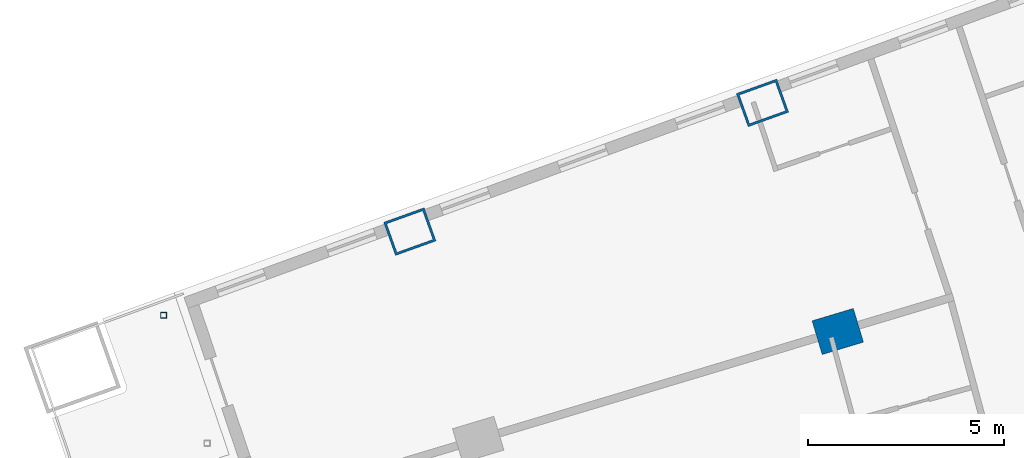
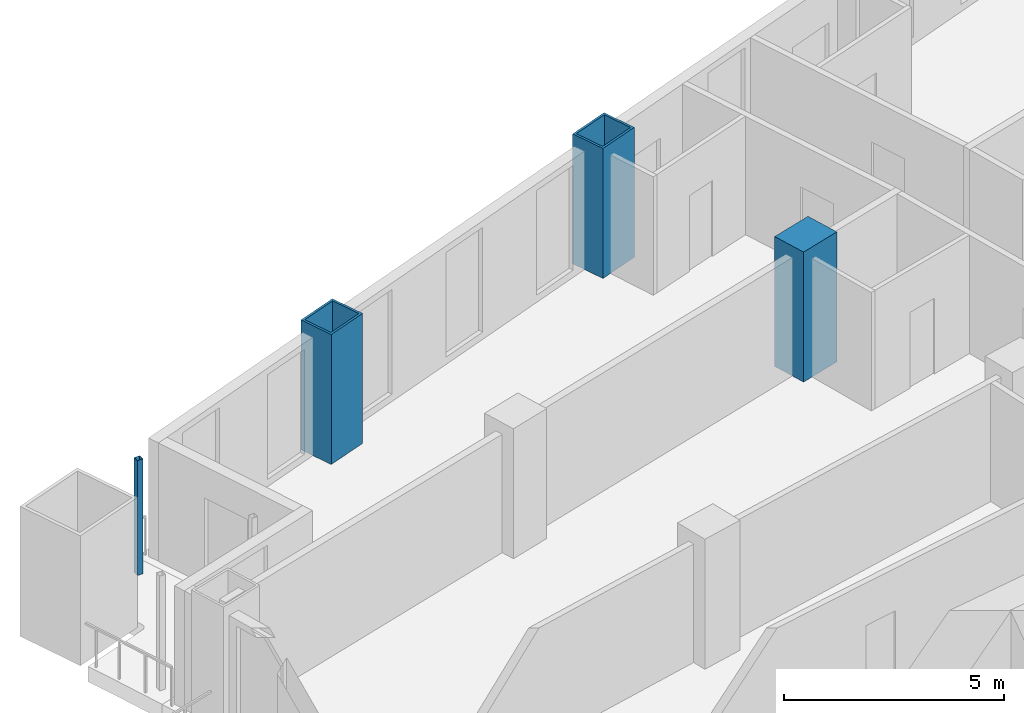
# One storey, part 9 of 25: 4 columns.
"""IFC4 building model written with IfcOpenShell, lengths in metres."""

import ifcopenshell
import ifcopenshell.guid

model = None  # the IFC model being written
_history = None  # IfcOwnerHistory: only IFC2X3 demands one
_inside = {}  # id of a spatial element -> (the spatial element, [elements in it])
_under = {}  # id of a project, library or spatial element -> (it, [spatial elements below it])
_declared = {}  # id of a project -> (the project, [libraries it declares])
_typed = {}  # id of a type object -> (the type object, [elements of that type])
_made_of = {}  # id of a material, layer set ... -> (it, [elements and type objects made of it])


def new_model(schema):
    """Start an empty IFC model of exactly this schema.

    Asked for "IFC4X3", IfcOpenShell would pick the latest addendum, in which some entities
    have other attributes; the version numbers below select the first issue.
    IFC2X3 requires an IfcOwnerHistory on every rooted entity: one is made here for all.
    """
    global model, _history
    if schema == "IFC4X3":
        model = ifcopenshell.file(schema_version=(4, 3, 0, 0))
    else:
        model = ifcopenshell.file(schema=schema)
    _inside.clear()
    _under.clear()
    _declared.clear()
    _typed.clear()
    _made_of.clear()
    _history = None
    if model.schema == "IFC2X3":
        org = make("IfcOrganization", Name="unknown")
        user = make(
            "IfcPersonAndOrganization",
            ThePerson=make("IfcPerson", FamilyName="unknown"),
            TheOrganization=org,
        )
        app = make(
            "IfcApplication",
            ApplicationDeveloper=org,
            Version="unknown",
            ApplicationFullName="unknown",
            ApplicationIdentifier="unknown",
        )
        _history = make(
            "IfcOwnerHistory",
            OwningUser=user,
            OwningApplication=app,
            ChangeAction="ADDED",
            CreationDate=0,
        )
    return model


def make(cls, **values):
    """One entity of the class cls with the attributes given. An attribute that is None is left unset."""
    return model.create_entity(
        cls, **{name: value for name, value in values.items() if value is not None}
    )


def rooted(cls, **values):
    """An entity with a GlobalId (a new one), such as an element, a storey or a relation."""
    return make(cls, GlobalId=ifcopenshell.guid.new(), OwnerHistory=_history, **values)


def si_unit(unit_type, name, prefix=None):
    """IfcSIUnit, for example si_unit("LENGTHUNIT", "METRE", prefix="MILLI")."""
    return make("IfcSIUnit", UnitType=unit_type, Prefix=prefix, Name=name)


def assignment(units):
    """IfcUnitAssignment: the units of a project."""
    return None if units is None else make("IfcUnitAssignment", Units=units)


def point(xyz):
    """IfcCartesianPoint."""
    return None if xyz is None else make("IfcCartesianPoint", Coordinates=xyz)


def direction(xyz):
    """IfcDirection."""
    return None if xyz is None else make("IfcDirection", DirectionRatios=xyz)


def frame(location, z_axis=None, x_axis=None):
    """IfcAxis2Placement3D, a coordinate frame: its origin and axes. An axis left out is left unset."""
    return make(
        "IfcAxis2Placement3D",
        Location=point(location),
        Axis=direction(z_axis),
        RefDirection=direction(x_axis),
    )


def frame_2d(location, x_axis=None):
    """IfcAxis2Placement2D, a coordinate frame in the plane: its origin and x axis."""
    return make(
        "IfcAxis2Placement2D", Location=point(location), RefDirection=direction(x_axis)
    )


def origin():
    """The frame at (0, 0, 0) with its axes left unset."""
    return frame((0.0, 0.0, 0.0))


def origin_2d():
    """The frame at (0, 0) in the plane with its x axis left unset."""
    return frame_2d((0.0, 0.0))


def place(relative_to, where):
    """IfcLocalPlacement: puts the frame where relative to a parent placement (None: the world)."""
    return make(
        "IfcLocalPlacement", PlacementRelTo=relative_to, RelativePlacement=where
    )


def context(
    kind, dimensions, precision=None, world=None, true_north=None, identifier=None
):
    """IfcGeometricRepresentationContext, for example the 3D "Model" context."""
    return make(
        "IfcGeometricRepresentationContext",
        ContextIdentifier=identifier,
        ContextType=kind,
        CoordinateSpaceDimension=dimensions,
        Precision=precision,
        WorldCoordinateSystem=world,
        TrueNorth=true_north,
    )


def subcontext(parent, identifier, kind, view, scale=None):
    """IfcGeometricRepresentationSubContext, for example "Body" below "Model"."""
    return make(
        "IfcGeometricRepresentationSubContext",
        ContextIdentifier=identifier,
        ContextType=kind,
        ParentContext=parent,
        TargetScale=scale,
        TargetView=view,
    )


def project(units=None, contexts=None):
    """IfcProject with its units and contexts."""
    return rooted(
        "IfcProject",
        Name="project",
        RepresentationContexts=contexts,
        UnitsInContext=assignment(units),
    )


def spatial(cls, under=None, at=None, **own):
    """A site, building, storey or space (cls), placed at a placement, below another one or the project."""
    s = rooted(cls, ObjectPlacement=at, **own)
    if under is not None:
        _under.setdefault(under.id(), (under, []))[1].append(s)
    return s


def profile(cls, at=None, kind="AREA", **sizes):
    """A parametric profile (cls). Its sizes go by their IFC names, for example OverallWidth=200.0."""
    return make(cls, ProfileType=kind, Position=at, **sizes)


def rectangle(**sizes):
    """IfcRectangleProfileDef."""
    return profile("IfcRectangleProfileDef", **sizes)


def hollow_rectangle(**sizes):
    """IfcRectangleHollowProfileDef."""
    return profile("IfcRectangleHollowProfileDef", **sizes)


def extrude(swept, where, along, depth):
    """IfcExtrudedAreaSolid: the profile swept, set in the frame where, extruded along a direction by depth."""
    return make(
        "IfcExtrudedAreaSolid",
        SweptArea=swept,
        Position=where,
        ExtrudedDirection=direction(along),
        Depth=depth,
    )


def shape(context_of_items, identifier, shape_type, items):
    """IfcShapeRepresentation: the items that make up one representation, for example the "Body"."""
    return make(
        "IfcShapeRepresentation",
        ContextOfItems=context_of_items,
        RepresentationIdentifier=identifier,
        RepresentationType=shape_type,
        Items=items,
    )


def material(Name=None, Category=None):
    """IfcMaterial."""
    return make("IfcMaterial", Name=Name, Category=Category)


def material_profile(
    of_material, cross_section, Name=None, Category=None, Priority=None
):
    """IfcMaterialProfile: a cross section and its material."""
    return make(
        "IfcMaterialProfile",
        Name=Name,
        Material=of_material,
        Profile=cross_section,
        Priority=Priority,
        Category=Category,
    )


def profile_set(profiles, Name=None, composite=None):
    """IfcMaterialProfileSet."""
    return make(
        "IfcMaterialProfileSet",
        Name=Name,
        MaterialProfiles=profiles,
        CompositeProfile=composite,
    )


def made_of(thing, what):
    """Note that an element or type object is made of a material, layer set ...; save() writes the relation."""
    if what is not None:
        _made_of.setdefault(what.id(), (what, []))[1].append(thing)
    return thing


def type_object(cls, material=None, **own):
    """A type object (cls), such as IfcWallType, which elements share."""
    return made_of(rooted(cls, **own), material)


def element(
    cls,
    number,
    at=None,
    inside=None,
    cuts=None,
    type_object=None,
    material=None,
    context=None,
    identifier="Body",
    shape_type=None,
    held_by="IfcProductDefinitionShape",
    body=None,
    shapes=None,
    **own,
):
    """One element of the class cls, such as IfcWall. Its Tag is "e" and its number.

    at: its placement. inside: the storey or other place that contains it. cuts: it is an
    opening in that element (IfcRelVoidsElement). A single representation is given by context,
    identifier, shape_type and body (its items); several are given by shapes. held_by: the class
    of the entity that holds the representations. save() writes the other relations.
    """
    e = rooted(cls, Tag="e%d" % number, ObjectPlacement=at, **own)
    if body is not None:
        shapes = [shape(context, identifier, shape_type, body)]
    if shapes is not None:
        e.Representation = make(held_by, Representations=shapes)
    if inside is not None:
        _inside.setdefault(inside.id(), (inside, []))[1].append(e)
    if cuts is not None:
        rooted(
            "IfcRelVoidsElement", RelatingBuildingElement=cuts, RelatedOpeningElement=e
        )
    if type_object is not None:
        _typed.setdefault(type_object.id(), (type_object, []))[1].append(e)
    return made_of(e, material)


def aggregate(whole, parts):
    """IfcRelAggregates: a whole, such as a stair, and the parts it consists of."""
    return rooted("IfcRelAggregates", RelatingObject=whole, RelatedObjects=parts)


def save(model, path):
    """Write the relations noted so far, then the file.

    IfcRelAggregates (storeys below a building ...), IfcRelContainedInSpatialStructure (elements
    in a storey), IfcRelDefinesByType, IfcRelAssociatesMaterial and IfcRelDeclares: one each for
    every whole, place, type object, material and project.
    """
    for whole, parts in _under.values():
        aggregate(whole, parts)
    for where, things in _inside.values():
        rooted(
            "IfcRelContainedInSpatialStructure",
            RelatedElements=things,
            RelatingStructure=where,
        )
    for kind, things in _typed.values():
        rooted("IfcRelDefinesByType", RelatedObjects=things, RelatingType=kind)
    for what, things in _made_of.values():
        rooted("IfcRelAssociatesMaterial", RelatedObjects=things, RelatingMaterial=what)
    for by, libraries in _declared.values():
        rooted("IfcRelDeclares", RelatingContext=by, RelatedDefinitions=libraries)
    model.write(path)


model = new_model("IFC4")

# Units and contexts
model_context = context("Model", 3, precision=1e-05, world=origin(), true_north=direction((0.0, 1.0)))
body_context = subcontext(model_context, "Body", "Model", "MODEL_VIEW")
ifc_project = project(units=[si_unit("LENGTHUNIT", "METRE"), si_unit("AREAUNIT", "SQUARE_METRE"), si_unit("VOLUMEUNIT", "CUBIC_METRE"), si_unit("PLANEANGLEUNIT", "RADIAN"), si_unit("MASSUNIT", "GRAM", prefix="KILO")], contexts=[model_context])

# Site, building, storey
site_placement = place(None, origin())
site = spatial("IfcSite", under=ifc_project, at=site_placement, CompositionType="ELEMENT")
building_placement = place(site_placement, origin())
building = spatial("IfcBuilding", under=site, at=building_placement, Name="Alderwake Tower", CompositionType="ELEMENT")
storey_placement = place(building_placement, frame((0.0, 0.0, 57.199951171875)))
storey = spatial("IfcBuildingStorey", under=building, at=storey_placement, Name="L13", CompositionType="ELEMENT", Elevation=57.199951171875)

# Columns
ifc_material_1 = material(Name="Steel ASTM A572 Grade 50 concrete filled C70/85", Category="concrete")
ifc_material_profile_1 = material_profile(ifc_material_1, hollow_rectangle(XDim=0.89990234375, YDim=1.10009765625, WallThickness=0.06005859375, at=origin_2d()), Name="BOX 1100X900X60")
ifc_profile_set_1 = profile_set([ifc_material_profile_1], Name="Steel ASTM A572 Grade 50 concrete filled C70/85")
column_type_1 = type_object("IfcColumnType", Name="End column Z1", PredefinedType="COLUMN", material=ifc_profile_set_1)
for number, where, z_axis, x_axis, name in (
    (1, (19.965576171875, 96.8515625, 0.0), (0.0, 0.0, 1.0), (-0.337584879279, 0.9412950915, 0.0), "Column R13-C1"),
    (2, (28.983642578125, 100.143310546875, 0.0), (0.0, 0.0, 1.0), (-0.338026774049, 0.941136493834, 0.0), "Column R13-C2"),
):
    element("IfcColumn", number, at=place(storey_placement, frame(where, z_axis=z_axis, x_axis=x_axis)), inside=storey, type_object=column_type_1, Name=name, PredefinedType="COLUMN", context=body_context, shape_type="SweptSolid", body=[
        extrude(hollow_rectangle(XDim=0.89990234375, YDim=1.10009765625, WallThickness=0.06005859375, at=origin_2d()), origin(), (0.0, 0.0, 1.0), 3.60009765625),
    ])
ifc_material_2 = material(Name="Concrete C70/85", Category="concrete")
ifc_material_profile_2 = material_profile(ifc_material_2, rectangle(XDim=0.89990234375, YDim=1.10009765625, at=origin_2d()), Name="RC 1100X900")
ifc_profile_set_2 = profile_set([ifc_material_profile_2], Name="Concrete C70/85")
column_type_2 = type_object("IfcColumnType", Name="Interior column Z1", PredefinedType="COLUMN", material=ifc_profile_set_2)
column_1_placement = place(storey_placement, frame((30.9091796875, 94.298095703125, 0.0), z_axis=(0.0, 0.0, 1.0), x_axis=(-0.287549418125, 0.957765802342, 0.0)))
element("IfcColumn", 3, at=column_1_placement, inside=storey, type_object=column_type_2, Name="Column R12-C2", PredefinedType="COLUMN", context=body_context, shape_type="SweptSolid", body=[
    extrude(rectangle(XDim=0.89990234375, YDim=1.10009765625, at=origin_2d()), origin(), (0.0, 0.0, 1.0), 3.60009765625),
])
ifc_material_3 = material(Name="Steel ASTM A500 Grade C", Category="steel")
ifc_material_profile_3 = material_profile(ifc_material_3, hollow_rectangle(XDim=0.15234375, YDim=0.15234375, WallThickness=0.0087890625, at=origin_2d()), Name="HSS6X6X3/8")
ifc_profile_set_3 = profile_set([ifc_material_profile_3], Name="Steel ASTM A500 Grade C")
column_type_3 = type_object("IfcColumnType", Name="Light post HSS6X6X3/8", PredefinedType="COLUMN", material=ifc_profile_set_3)
column_2_placement = place(storey_placement, frame((13.66796875, 94.71240234375, 0.0), z_axis=(0.0, 0.0, 1.0), x_axis=(1.0, 0.0, 0.0)))
element("IfcColumn", 4, at=column_2_placement, inside=storey, type_object=column_type_3, Name="Terrace post RN2", PredefinedType="COLUMN", context=body_context, shape_type="SweptSolid", body=[
    extrude(hollow_rectangle(XDim=0.15234375, YDim=0.15234375, WallThickness=0.0087890625, at=origin_2d()), origin(), (0.0, 0.0, 1.0), 3.179931640625),
])

save(model, "model.ifc")
